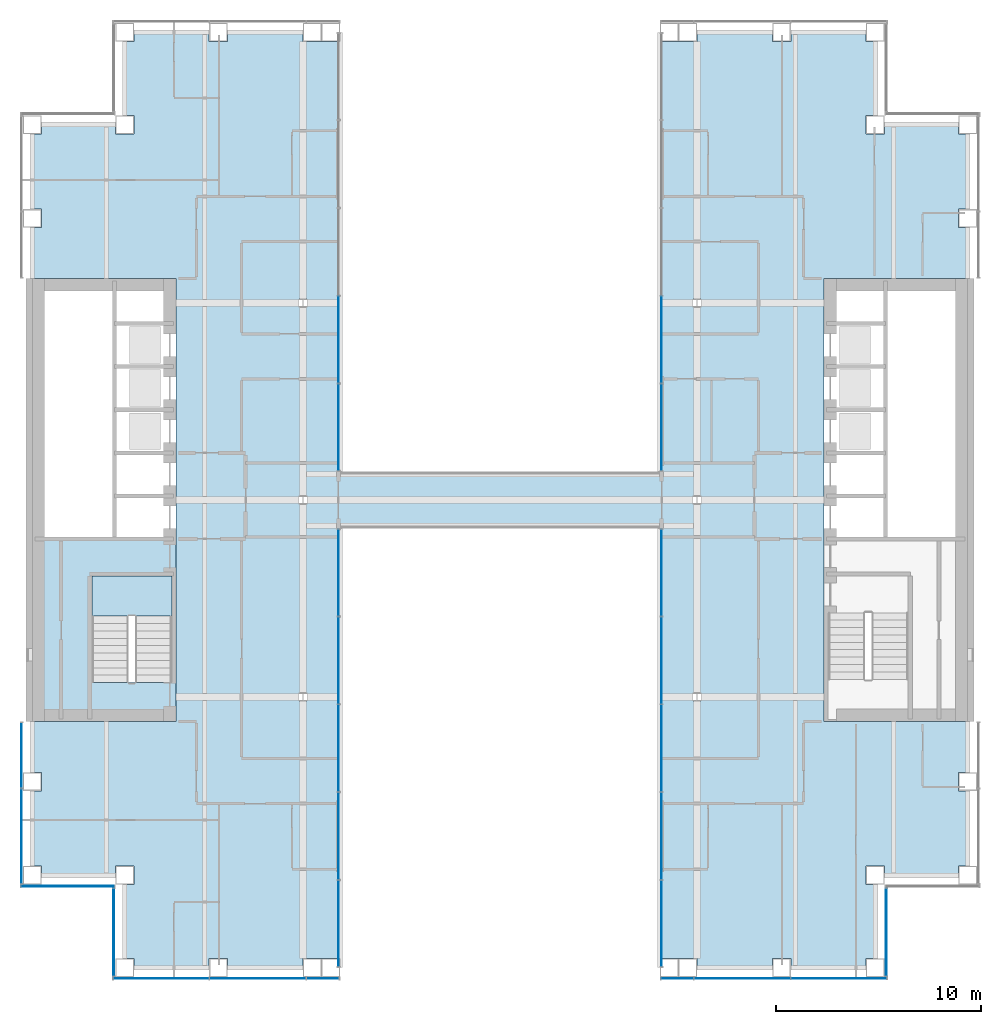
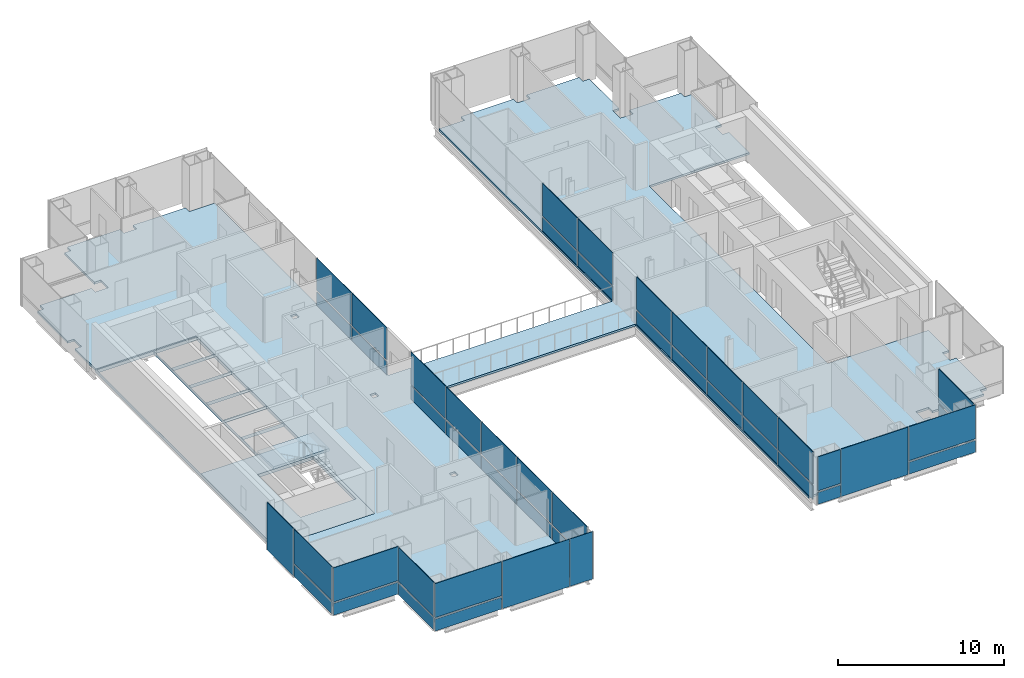
# One storey, part 9 of 16: 46 plates, 3 slabs, 11 elements without a shape of their own.
"""IFC4 building model written with IfcOpenShell, lengths in metres."""

from ifc_helpers import new_model, si_unit, direction, frame, origin, origin_2d, place, context, subcontext, project, spatial, polyline, rectangle, outline, extrude, material, layer, layer_set, type_object, element, aggregate, save


model = new_model("IFC4")

# Units and contexts
model_context = context("Model", 3, precision=1e-05, world=origin(), true_north=direction((0.0, 1.0)))
body_context = subcontext(model_context, "Body", "Model", "MODEL_VIEW")
ifc_project = project(units=[si_unit("LENGTHUNIT", "METRE"), si_unit("AREAUNIT", "SQUARE_METRE"), si_unit("VOLUMEUNIT", "CUBIC_METRE"), si_unit("PLANEANGLEUNIT", "RADIAN"), si_unit("MASSUNIT", "GRAM", prefix="KILO")], contexts=[model_context])

# Site, building, storey
site_placement = place(None, origin())
site = spatial("IfcSite", under=ifc_project, at=site_placement, CompositionType="ELEMENT")
building_placement = place(site_placement, origin())
building = spatial("IfcBuilding", under=site, at=building_placement, Name="Cobrizo Arcos Hotel Tower", CompositionType="ELEMENT")
storey_placement = place(building_placement, frame((0.0, 0.0, 127.5)))
storey = spatial("IfcBuildingStorey", under=building, at=storey_placement, Name="L32", CompositionType="ELEMENT", Elevation=127.5)

# Curtain wall, plate
ifc_material_1 = material(Name="Aluminium 6063-T6 anodised bronze", Category="aluminium")
curtain_wall_type_1 = type_object("IfcCurtainWallType", Name="CW-A guest facade", PredefinedType="NOTDEFINED", material=ifc_material_1)
curtain_wall_1_placement = place(storey_placement, origin())
curtain_wall_1 = element("IfcCurtainWall", 1, at=curtain_wall_1_placement, inside=storey, type_object=curtain_wall_type_1, Name="CW-A L32 S face", PredefinedType="NOTDEFINED")
ifc_material_2 = material(Name="Glass clear laminated low-e", Category="glass")
ifc_layer_1 = layer(ifc_material_2, 0.0400390625)
ifc_layer_set_1 = layer_set([ifc_layer_1], Name="CW-A glass panel")
plate_type_1 = type_object("IfcPlateType", Name="CW-A glass panel", PredefinedType="CURTAIN_PANEL", material=ifc_layer_set_1)
plate_1_placement = place(storey_placement, frame((-16.5224609375, -23.324951171875, 0.990234375), z_axis=(0.0, 0.0, 1.0), x_axis=(1.0, 0.0, 0.0)))
plate_1 = element("IfcPlate", 2, at=plate_1_placement, type_object=plate_type_1, Name="CW-A glass panel 1191", PredefinedType="CURTAIN_PANEL", context=body_context, shape_type="SweptSolid", body=[
    extrude(rectangle(XDim=4.635009765625, YDim=0.0400390625, at=origin_2d()), origin(), (0.0, 0.0, 1.0), 2.510009765625),
])

# Curtain wall, plates
curtain_wall_2_placement = place(storey_placement, origin())
curtain_wall_2 = element("IfcCurtainWall", 3, at=curtain_wall_2_placement, inside=storey, type_object=curtain_wall_type_1, Name="CW-A L32 S face", PredefinedType="NOTDEFINED")
plate_2_placement = place(storey_placement, frame((8.639892578125, -23.324951171875, 0.990234375), z_axis=(0.0, 0.0, 1.0), x_axis=(1.0, 0.0, 0.0)))
plate_2 = element("IfcPlate", 4, at=plate_2_placement, type_object=plate_type_1, Name="CW-A glass panel 1194", PredefinedType="CURTAIN_PANEL", context=body_context, shape_type="SweptSolid", body=[
    extrude(rectangle(XDim=1.56005859375, YDim=0.0400390625, at=origin_2d()), origin(), (0.0, 0.0, 1.0), 2.510009765625),
])
plate_3_placement = place(storey_placement, frame((16.5224609375, -23.324951171875, 0.990234375), z_axis=(0.0, 0.0, 1.0), x_axis=(1.0, 0.0, 0.0)))
plate_3 = element("IfcPlate", 5, at=plate_3_placement, type_object=plate_type_1, Name="CW-A glass panel 1196", PredefinedType="CURTAIN_PANEL", context=body_context, shape_type="SweptSolid", body=[
    extrude(rectangle(XDim=4.635009765625, YDim=0.0400390625, at=origin_2d()), origin(), (0.0, 0.0, 1.0), 2.510009765625),
])

# Curtain wall, plate
curtain_wall_3_placement = place(storey_placement, origin())
curtain_wall_3 = element("IfcCurtainWall", 6, at=curtain_wall_3_placement, inside=storey, type_object=curtain_wall_type_1, Name="CW-A L32 E face", PredefinedType="NOTDEFINED")
plate_4_placement = place(storey_placement, frame((18.824951171875, -21.074951171875, 0.990234375), z_axis=(0.0, 0.0, 1.0), x_axis=(0.0, 1.0, 0.0)))
plate_4 = element("IfcPlate", 7, at=plate_4_placement, type_object=plate_type_1, Name="CW-A glass panel 1197", PredefinedType="CURTAIN_PANEL", context=body_context, shape_type="SweptSolid", body=[
    extrude(rectangle(XDim=4.22998046875, YDim=0.0400390625, at=origin_2d()), origin(), (0.0, 0.0, 1.0), 2.510009765625),
])

curtain_wall_4_placement = place(storey_placement, origin())
curtain_wall_4 = element("IfcCurtainWall", 8, at=curtain_wall_4_placement, inside=storey, type_object=curtain_wall_type_1, Name="CW-A L32 W face", PredefinedType="NOTDEFINED")
plate_5_placement = place(storey_placement, frame((-23.324951171875, -16.391357421875, 0.990234375), z_axis=(0.0, 0.0, 1.0), x_axis=(0.0, -1.0, 0.0)))
plate_5 = element("IfcPlate", 9, at=plate_5_placement, type_object=plate_type_1, Name="CW-A glass panel 1216", PredefinedType="CURTAIN_PANEL", context=body_context, shape_type="SweptSolid", body=[
    extrude(rectangle(XDim=4.597412109375, YDim=0.0400390625, at=origin_2d()), origin(), (0.0, 0.0, 1.0), 2.510009765625),
])

curtain_wall_5_placement = place(storey_placement, origin())
curtain_wall_5 = element("IfcCurtainWall", 10, at=curtain_wall_5_placement, inside=storey, type_object=curtain_wall_type_1, Name="CW-A L32 S face", PredefinedType="NOTDEFINED")
plate_6_placement = place(storey_placement, frame((-21.074951171875, -18.824951171875, 0.990234375), z_axis=(0.0, 0.0, 1.0), x_axis=(1.0, 0.0, 0.0)))
plate_6 = element("IfcPlate", 11, at=plate_6_placement, type_object=plate_type_1, Name="CW-A glass panel 1217", PredefinedType="CURTAIN_PANEL", context=body_context, shape_type="SweptSolid", body=[
    extrude(rectangle(XDim=4.530029296875, YDim=0.0400390625, at=origin_2d()), origin(), (0.0, 0.0, 1.0), 2.510009765625),
])

curtain_wall_6_placement = place(storey_placement, origin())
curtain_wall_6 = element("IfcCurtainWall", 12, at=curtain_wall_6_placement, inside=storey, type_object=curtain_wall_type_1, Name="CW-A L32 W face", PredefinedType="NOTDEFINED")
plate_7_placement = place(storey_placement, frame((-18.824951171875, -21.074951171875, 0.990234375), z_axis=(0.0, 0.0, 1.0), x_axis=(0.0, -1.0, 0.0)))
plate_7 = element("IfcPlate", 13, at=plate_7_placement, type_object=plate_type_1, Name="CW-A glass panel 1218", PredefinedType="CURTAIN_PANEL", context=body_context, shape_type="SweptSolid", body=[
    extrude(rectangle(XDim=4.22998046875, YDim=0.0400390625, at=origin_2d()), origin(), (0.0, 0.0, 1.0), 2.510009765625),
])

# Plate
ifc_material_3 = material(Name="Aluminium composite panel pale metal", Category="aluminium")
ifc_layer_2 = layer(ifc_material_3, 0.0400390625)
ifc_layer_set_2 = layer_set([ifc_layer_2], Name="CW-A spandrel panel")
plate_type_2 = type_object("IfcPlateType", Name="CW-A spandrel panel", PredefinedType="CURTAIN_PANEL", material=ifc_layer_set_2)
plate_8_placement = place(storey_placement, frame((-16.5224609375, -23.324951171875, 0.0), z_axis=(0.0, 0.0, 1.0), x_axis=(1.0, 0.0, 0.0)))
plate_8 = element("IfcPlate", 14, at=plate_8_placement, type_object=plate_type_2, Name="CW-A spandrel panel 1191", PredefinedType="CURTAIN_PANEL", context=body_context, shape_type="SweptSolid", body=[
    extrude(rectangle(XDim=4.635009765625, YDim=0.0400390625, at=origin_2d()), origin(), (0.0, 0.0, 1.0), 0.8701171875),
])

plate_9_placement = place(storey_placement, frame((-11.8125, -23.324951171875, 0.0), z_axis=(0.0, 0.0, 1.0), x_axis=(1.0, 0.0, 0.0)))
plate_9 = element("IfcPlate", 15, at=plate_9_placement, type_object=plate_type_2, Name="CW-A spandrel panel 1192", PredefinedType="CURTAIN_PANEL", context=body_context, shape_type="SweptSolid", body=[
    extrude(rectangle(XDim=4.6650390625, YDim=0.0400390625, at=origin_2d()), origin(), (0.0, 0.0, 1.0), 3.5),
])

plate_10_placement = place(storey_placement, frame((-8.639892578125, -23.324951171875, 0.0), z_axis=(0.0, 0.0, 1.0), x_axis=(1.0, 0.0, 0.0)))
plate_10 = element("IfcPlate", 16, at=plate_10_placement, type_object=plate_type_2, Name="CW-A spandrel panel 1193", PredefinedType="CURTAIN_PANEL", context=body_context, shape_type="SweptSolid", body=[
    extrude(rectangle(XDim=1.56005859375, YDim=0.0400390625, at=origin_2d()), origin(), (0.0, 0.0, 1.0), 3.5),
])

aggregate(curtain_wall_1, [plate_8, plate_1, plate_9, plate_10])

plate_11_placement = place(storey_placement, frame((8.639892578125, -23.324951171875, 0.0), z_axis=(0.0, 0.0, 1.0), x_axis=(1.0, 0.0, 0.0)))
plate_11 = element("IfcPlate", 17, at=plate_11_placement, type_object=plate_type_2, Name="CW-A spandrel panel 1194", PredefinedType="CURTAIN_PANEL", context=body_context, shape_type="SweptSolid", body=[
    extrude(rectangle(XDim=1.56005859375, YDim=0.0400390625, at=origin_2d()), origin(), (0.0, 0.0, 1.0), 0.8701171875),
])

plate_12_placement = place(storey_placement, frame((11.8125, -23.324951171875, 0.0), z_axis=(0.0, 0.0, 1.0), x_axis=(1.0, 0.0, 0.0)))
plate_12 = element("IfcPlate", 18, at=plate_12_placement, type_object=plate_type_2, Name="CW-A spandrel panel 1195", PredefinedType="CURTAIN_PANEL", context=body_context, shape_type="SweptSolid", body=[
    extrude(rectangle(XDim=4.6650390625, YDim=0.0400390625, at=origin_2d()), origin(), (0.0, 0.0, 1.0), 3.5),
])

plate_13_placement = place(storey_placement, frame((16.5224609375, -23.324951171875, 0.0), z_axis=(0.0, 0.0, 1.0), x_axis=(1.0, 0.0, 0.0)))
plate_13 = element("IfcPlate", 19, at=plate_13_placement, type_object=plate_type_2, Name="CW-A spandrel panel 1196", PredefinedType="CURTAIN_PANEL", context=body_context, shape_type="SweptSolid", body=[
    extrude(rectangle(XDim=4.635009765625, YDim=0.0400390625, at=origin_2d()), origin(), (0.0, 0.0, 1.0), 0.8701171875),
])

aggregate(curtain_wall_2, [plate_11, plate_2, plate_12, plate_13, plate_3])

plate_14_placement = place(storey_placement, frame((18.824951171875, -21.074951171875, 0.0), z_axis=(0.0, 0.0, 1.0), x_axis=(0.0, 1.0, 0.0)))
plate_14 = element("IfcPlate", 20, at=plate_14_placement, type_object=plate_type_2, Name="CW-A spandrel panel 1197", PredefinedType="CURTAIN_PANEL", context=body_context, shape_type="SweptSolid", body=[
    extrude(rectangle(XDim=4.22998046875, YDim=0.0400390625, at=origin_2d()), origin(), (0.0, 0.0, 1.0), 0.8701171875),
])

aggregate(curtain_wall_3, [plate_14, plate_4])

plate_15_placement = place(storey_placement, frame((-23.324951171875, -12.4462890625, 0.0), z_axis=(0.0, 0.0, 1.0), x_axis=(0.0, -1.0, 0.0)))
plate_15 = element("IfcPlate", 21, at=plate_15_placement, type_object=plate_type_2, Name="CW-A spandrel panel 1215", PredefinedType="CURTAIN_PANEL", context=body_context, shape_type="SweptSolid", body=[
    extrude(rectangle(XDim=3.172607421875, YDim=0.0400390625, at=origin_2d()), origin(), (0.0, 0.0, 1.0), 3.5),
])

plate_16_placement = place(storey_placement, frame((-23.324951171875, -16.391357421875, 0.0), z_axis=(0.0, 0.0, 1.0), x_axis=(0.0, -1.0, 0.0)))
plate_16 = element("IfcPlate", 22, at=plate_16_placement, type_object=plate_type_2, Name="CW-A spandrel panel 1216", PredefinedType="CURTAIN_PANEL", context=body_context, shape_type="SweptSolid", body=[
    extrude(rectangle(XDim=4.597412109375, YDim=0.0400390625, at=origin_2d()), origin(), (0.0, 0.0, 1.0), 0.8701171875),
])

aggregate(curtain_wall_4, [plate_15, plate_16, plate_5])

plate_17_placement = place(storey_placement, frame((-21.074951171875, -18.824951171875, 0.0), z_axis=(0.0, 0.0, 1.0), x_axis=(1.0, 0.0, 0.0)))
plate_17 = element("IfcPlate", 23, at=plate_17_placement, type_object=plate_type_2, Name="CW-A spandrel panel 1217", PredefinedType="CURTAIN_PANEL", context=body_context, shape_type="SweptSolid", body=[
    extrude(rectangle(XDim=4.530029296875, YDim=0.0400390625, at=origin_2d()), origin(), (0.0, 0.0, 1.0), 0.8701171875),
])

aggregate(curtain_wall_5, [plate_17, plate_6])

plate_18_placement = place(storey_placement, frame((-18.824951171875, -21.074951171875, 0.0), z_axis=(0.0, 0.0, 1.0), x_axis=(0.0, -1.0, 0.0)))
plate_18 = element("IfcPlate", 24, at=plate_18_placement, type_object=plate_type_2, Name="CW-A spandrel panel 1218", PredefinedType="CURTAIN_PANEL", context=body_context, shape_type="SweptSolid", body=[
    extrude(rectangle(XDim=4.22998046875, YDim=0.0400390625, at=origin_2d()), origin(), (0.0, 0.0, 1.0), 0.8701171875),
])

aggregate(curtain_wall_6, [plate_18, plate_7])

# Curtain wall, plates
curtain_wall_type_2 = type_object("IfcCurtainWallType", Name="CW-F void screen", PredefinedType="NOTDEFINED", material=ifc_material_1)
curtain_wall_7_placement = place(storey_placement, origin())
curtain_wall_7 = element("IfcCurtainWall", 25, at=curtain_wall_7_placement, inside=storey, type_object=curtain_wall_type_2, Name="CW-F L32 void screen B", PredefinedType="NOTDEFINED")
ifc_layer_3 = layer(ifc_material_2, 0.0400390625)
ifc_layer_set_3 = layer_set([ifc_layer_3], Name="CW-F glass panel")
plate_type_3 = type_object("IfcPlateType", Name="CW-F glass panel", PredefinedType="CURTAIN_PANEL", material=ifc_layer_set_3)
plate_19_placement = place(storey_placement, frame((7.875, -20.64501953125, 0.0), z_axis=(0.0, 0.0, 1.0), x_axis=(0.0, 1.0, 0.0)))
plate_19 = element("IfcPlate", 26, at=plate_19_placement, type_object=plate_type_3, Name="CW-F glass panel 2626", PredefinedType="CURTAIN_PANEL", context=body_context, shape_type="SweptSolid", body=[
    extrude(rectangle(XDim=4.18994140625, YDim=0.0400390625, at=origin_2d()), origin(), (0.0, 0.0, 1.0), 0.989990234375),
])
plate_20_placement = place(storey_placement, frame((7.875, -20.64501953125, 1.10986328125), z_axis=(0.0, 0.0, 1.0), x_axis=(0.0, 1.0, 0.0)))
plate_20 = element("IfcPlate", 27, at=plate_20_placement, type_object=plate_type_3, Name="CW-F glass panel 2626", PredefinedType="CURTAIN_PANEL", context=body_context, shape_type="SweptSolid", body=[
    extrude(rectangle(XDim=4.18994140625, YDim=0.0400390625, at=origin_2d()), origin(), (0.0, 0.0, 1.0), 2.389892578125),
])
plate_21_placement = place(storey_placement, frame((7.875, -16.3798828125, 0.0), z_axis=(0.0, 0.0, 1.0), x_axis=(0.0, 1.0, 0.0)))
plate_21 = element("IfcPlate", 28, at=plate_21_placement, type_object=plate_type_3, Name="CW-F glass panel 2627", PredefinedType="CURTAIN_PANEL", context=body_context, shape_type="SweptSolid", body=[
    extrude(rectangle(XDim=4.219970703125, YDim=0.0400390625, at=origin_2d()), origin(), (0.0, 0.0, 1.0), 0.989990234375),
])
plate_22_placement = place(storey_placement, frame((7.875, -16.3798828125, 1.10986328125), z_axis=(0.0, 0.0, 1.0), x_axis=(0.0, 1.0, 0.0)))
plate_22 = element("IfcPlate", 29, at=plate_22_placement, type_object=plate_type_3, Name="CW-F glass panel 2627", PredefinedType="CURTAIN_PANEL", context=body_context, shape_type="SweptSolid", body=[
    extrude(rectangle(XDim=4.219970703125, YDim=0.0400390625, at=origin_2d()), origin(), (0.0, 0.0, 1.0), 2.389892578125),
])
plate_23_placement = place(storey_placement, frame((7.875, -12.10009765625, 0.0), z_axis=(0.0, 0.0, 1.0), x_axis=(0.0, 1.0, 0.0)))
plate_23 = element("IfcPlate", 30, at=plate_23_placement, type_object=plate_type_3, Name="CW-F glass panel 2628", PredefinedType="CURTAIN_PANEL", context=body_context, shape_type="SweptSolid", body=[
    extrude(rectangle(XDim=4.219970703125, YDim=0.0400390625, at=origin_2d()), origin(), (0.0, 0.0, 1.0), 0.989990234375),
])
plate_24_placement = place(storey_placement, frame((7.875, -12.10009765625, 1.10986328125), z_axis=(0.0, 0.0, 1.0), x_axis=(0.0, 1.0, 0.0)))
plate_24 = element("IfcPlate", 31, at=plate_24_placement, type_object=plate_type_3, Name="CW-F glass panel 2628", PredefinedType="CURTAIN_PANEL", context=body_context, shape_type="SweptSolid", body=[
    extrude(rectangle(XDim=4.219970703125, YDim=0.0400390625, at=origin_2d()), origin(), (0.0, 0.0, 1.0), 2.389892578125),
])
plate_25_placement = place(storey_placement, frame((7.875, -7.820068359375, 0.0), z_axis=(0.0, 0.0, 1.0), x_axis=(0.0, 1.0, 0.0)))
plate_25 = element("IfcPlate", 32, at=plate_25_placement, type_object=plate_type_3, Name="CW-F glass panel 2629", PredefinedType="CURTAIN_PANEL", context=body_context, shape_type="SweptSolid", body=[
    extrude(rectangle(XDim=4.219970703125, YDim=0.0400390625, at=origin_2d()), origin(), (0.0, 0.0, 1.0), 0.989990234375),
])
plate_26_placement = place(storey_placement, frame((7.875, -7.820068359375, 1.10986328125), z_axis=(0.0, 0.0, 1.0), x_axis=(0.0, 1.0, 0.0)))
plate_26 = element("IfcPlate", 33, at=plate_26_placement, type_object=plate_type_3, Name="CW-F glass panel 2629", PredefinedType="CURTAIN_PANEL", context=body_context, shape_type="SweptSolid", body=[
    extrude(rectangle(XDim=4.219970703125, YDim=0.0400390625, at=origin_2d()), origin(), (0.0, 0.0, 1.0), 2.389892578125),
])
plate_27_placement = place(storey_placement, frame((7.875, -3.554931640625, 0.0), z_axis=(0.0, 0.0, 1.0), x_axis=(0.0, 1.0, 0.0)))
plate_27 = element("IfcPlate", 34, at=plate_27_placement, type_object=plate_type_3, Name="CW-F glass panel 2630", PredefinedType="CURTAIN_PANEL", context=body_context, shape_type="SweptSolid", body=[
    extrude(rectangle(XDim=4.18994140625, YDim=0.0400390625, at=origin_2d()), origin(), (0.0, 0.0, 1.0), 0.989990234375),
])
plate_28_placement = place(storey_placement, frame((7.875, -3.554931640625, 1.10986328125), z_axis=(0.0, 0.0, 1.0), x_axis=(0.0, 1.0, 0.0)))
plate_28 = element("IfcPlate", 35, at=plate_28_placement, type_object=plate_type_3, Name="CW-F glass panel 2630", PredefinedType="CURTAIN_PANEL", context=body_context, shape_type="SweptSolid", body=[
    extrude(rectangle(XDim=4.18994140625, YDim=0.0400390625, at=origin_2d()), origin(), (0.0, 0.0, 1.0), 2.389892578125),
])
aggregate(curtain_wall_7, [plate_19, plate_20, plate_21, plate_22, plate_23, plate_24, plate_25, plate_26, plate_27, plate_28])

curtain_wall_8_placement = place(storey_placement, origin())
curtain_wall_8 = element("IfcCurtainWall", 36, at=curtain_wall_8_placement, inside=storey, type_object=curtain_wall_type_2, Name="CW-F L32 void screen B", PredefinedType="NOTDEFINED")
plate_29_placement = place(storey_placement, frame((7.875, 3.554931640625, 0.0), z_axis=(0.0, 0.0, 1.0), x_axis=(0.0, 1.0, 0.0)))
plate_29 = element("IfcPlate", 37, at=plate_29_placement, type_object=plate_type_3, Name="CW-F glass panel 2631", PredefinedType="CURTAIN_PANEL", context=body_context, shape_type="SweptSolid", body=[
    extrude(rectangle(XDim=4.18994140625, YDim=0.0400390625, at=origin_2d()), origin(), (0.0, 0.0, 1.0), 0.989990234375),
])
plate_30_placement = place(storey_placement, frame((7.875, 3.554931640625, 1.10986328125), z_axis=(0.0, 0.0, 1.0), x_axis=(0.0, 1.0, 0.0)))
plate_30 = element("IfcPlate", 38, at=plate_30_placement, type_object=plate_type_3, Name="CW-F glass panel 2631", PredefinedType="CURTAIN_PANEL", context=body_context, shape_type="SweptSolid", body=[
    extrude(rectangle(XDim=4.18994140625, YDim=0.0400390625, at=origin_2d()), origin(), (0.0, 0.0, 1.0), 2.389892578125),
])
plate_31_placement = place(storey_placement, frame((7.875, 7.820068359375, 0.0), z_axis=(0.0, 0.0, 1.0), x_axis=(0.0, 1.0, 0.0)))
plate_31 = element("IfcPlate", 39, at=plate_31_placement, type_object=plate_type_3, Name="CW-F glass panel 2632", PredefinedType="CURTAIN_PANEL", context=body_context, shape_type="SweptSolid", body=[
    extrude(rectangle(XDim=4.219970703125, YDim=0.0400390625, at=origin_2d()), origin(), (0.0, 0.0, 1.0), 0.989990234375),
])
plate_32_placement = place(storey_placement, frame((7.875, 7.820068359375, 1.10986328125), z_axis=(0.0, 0.0, 1.0), x_axis=(0.0, 1.0, 0.0)))
plate_32 = element("IfcPlate", 40, at=plate_32_placement, type_object=plate_type_3, Name="CW-F glass panel 2632", PredefinedType="CURTAIN_PANEL", context=body_context, shape_type="SweptSolid", body=[
    extrude(rectangle(XDim=4.219970703125, YDim=0.0400390625, at=origin_2d()), origin(), (0.0, 0.0, 1.0), 2.389892578125),
])
aggregate(curtain_wall_8, [plate_29, plate_30, plate_31, plate_32])

curtain_wall_9_placement = place(storey_placement, origin())
curtain_wall_9 = element("IfcCurtainWall", 41, at=curtain_wall_9_placement, inside=storey, type_object=curtain_wall_type_2, Name="CW-F L32 void screen B", PredefinedType="NOTDEFINED")
plate_33_placement = place(storey_placement, frame((-7.875, 7.820068359375, 0.0), z_axis=(0.0, 0.0, 1.0), x_axis=(0.0, -1.0, 0.0)))
plate_33 = element("IfcPlate", 42, at=plate_33_placement, type_object=plate_type_3, Name="CW-F glass panel 2639", PredefinedType="CURTAIN_PANEL", context=body_context, shape_type="SweptSolid", body=[
    extrude(rectangle(XDim=4.219970703125, YDim=0.0400390625, at=origin_2d()), origin(), (0.0, 0.0, 1.0), 0.989990234375),
])
plate_34_placement = place(storey_placement, frame((-7.875, 7.820068359375, 1.10986328125), z_axis=(0.0, 0.0, 1.0), x_axis=(0.0, -1.0, 0.0)))
plate_34 = element("IfcPlate", 43, at=plate_34_placement, type_object=plate_type_3, Name="CW-F glass panel 2639", PredefinedType="CURTAIN_PANEL", context=body_context, shape_type="SweptSolid", body=[
    extrude(rectangle(XDim=4.219970703125, YDim=0.0400390625, at=origin_2d()), origin(), (0.0, 0.0, 1.0), 2.389892578125),
])
plate_35_placement = place(storey_placement, frame((-7.875, 3.554931640625, 0.0), z_axis=(0.0, 0.0, 1.0), x_axis=(0.0, -1.0, 0.0)))
plate_35 = element("IfcPlate", 44, at=plate_35_placement, type_object=plate_type_3, Name="CW-F glass panel 2640", PredefinedType="CURTAIN_PANEL", context=body_context, shape_type="SweptSolid", body=[
    extrude(rectangle(XDim=4.18994140625, YDim=0.0400390625, at=origin_2d()), origin(), (0.0, 0.0, 1.0), 0.989990234375),
])
plate_36_placement = place(storey_placement, frame((-7.875, 3.554931640625, 1.10986328125), z_axis=(0.0, 0.0, 1.0), x_axis=(0.0, -1.0, 0.0)))
plate_36 = element("IfcPlate", 45, at=plate_36_placement, type_object=plate_type_3, Name="CW-F glass panel 2640", PredefinedType="CURTAIN_PANEL", context=body_context, shape_type="SweptSolid", body=[
    extrude(rectangle(XDim=4.18994140625, YDim=0.0400390625, at=origin_2d()), origin(), (0.0, 0.0, 1.0), 2.389892578125),
])
aggregate(curtain_wall_9, [plate_33, plate_34, plate_35, plate_36])

curtain_wall_10_placement = place(storey_placement, origin())
curtain_wall_10 = element("IfcCurtainWall", 46, at=curtain_wall_10_placement, inside=storey, type_object=curtain_wall_type_2, Name="CW-F L32 void screen B", PredefinedType="NOTDEFINED")
plate_37_placement = place(storey_placement, frame((-7.875, -3.554931640625, 0.0), z_axis=(0.0, 0.0, 1.0), x_axis=(0.0, -1.0, 0.0)))
plate_37 = element("IfcPlate", 47, at=plate_37_placement, type_object=plate_type_3, Name="CW-F glass panel 2641", PredefinedType="CURTAIN_PANEL", context=body_context, shape_type="SweptSolid", body=[
    extrude(rectangle(XDim=4.18994140625, YDim=0.0400390625, at=origin_2d()), origin(), (0.0, 0.0, 1.0), 0.989990234375),
])
plate_38_placement = place(storey_placement, frame((-7.875, -3.554931640625, 1.10986328125), z_axis=(0.0, 0.0, 1.0), x_axis=(0.0, -1.0, 0.0)))
plate_38 = element("IfcPlate", 48, at=plate_38_placement, type_object=plate_type_3, Name="CW-F glass panel 2641", PredefinedType="CURTAIN_PANEL", context=body_context, shape_type="SweptSolid", body=[
    extrude(rectangle(XDim=4.18994140625, YDim=0.0400390625, at=origin_2d()), origin(), (0.0, 0.0, 1.0), 2.389892578125),
])
plate_39_placement = place(storey_placement, frame((-7.875, -7.820068359375, 0.0), z_axis=(0.0, 0.0, 1.0), x_axis=(0.0, -1.0, 0.0)))
plate_39 = element("IfcPlate", 49, at=plate_39_placement, type_object=plate_type_3, Name="CW-F glass panel 2642", PredefinedType="CURTAIN_PANEL", context=body_context, shape_type="SweptSolid", body=[
    extrude(rectangle(XDim=4.219970703125, YDim=0.0400390625, at=origin_2d()), origin(), (0.0, 0.0, 1.0), 0.989990234375),
])
plate_40_placement = place(storey_placement, frame((-7.875, -7.820068359375, 1.10986328125), z_axis=(0.0, 0.0, 1.0), x_axis=(0.0, -1.0, 0.0)))
plate_40 = element("IfcPlate", 50, at=plate_40_placement, type_object=plate_type_3, Name="CW-F glass panel 2642", PredefinedType="CURTAIN_PANEL", context=body_context, shape_type="SweptSolid", body=[
    extrude(rectangle(XDim=4.219970703125, YDim=0.0400390625, at=origin_2d()), origin(), (0.0, 0.0, 1.0), 2.389892578125),
])
plate_41_placement = place(storey_placement, frame((-7.875, -12.10009765625, 0.0), z_axis=(0.0, 0.0, 1.0), x_axis=(0.0, -1.0, 0.0)))
plate_41 = element("IfcPlate", 51, at=plate_41_placement, type_object=plate_type_3, Name="CW-F glass panel 2643", PredefinedType="CURTAIN_PANEL", context=body_context, shape_type="SweptSolid", body=[
    extrude(rectangle(XDim=4.219970703125, YDim=0.0400390625, at=origin_2d()), origin(), (0.0, 0.0, 1.0), 0.989990234375),
])
plate_42_placement = place(storey_placement, frame((-7.875, -12.10009765625, 1.10986328125), z_axis=(0.0, 0.0, 1.0), x_axis=(0.0, -1.0, 0.0)))
plate_42 = element("IfcPlate", 52, at=plate_42_placement, type_object=plate_type_3, Name="CW-F glass panel 2643", PredefinedType="CURTAIN_PANEL", context=body_context, shape_type="SweptSolid", body=[
    extrude(rectangle(XDim=4.219970703125, YDim=0.0400390625, at=origin_2d()), origin(), (0.0, 0.0, 1.0), 2.389892578125),
])
plate_43_placement = place(storey_placement, frame((-7.875, -16.3798828125, 0.0), z_axis=(0.0, 0.0, 1.0), x_axis=(0.0, -1.0, 0.0)))
plate_43 = element("IfcPlate", 53, at=plate_43_placement, type_object=plate_type_3, Name="CW-F glass panel 2644", PredefinedType="CURTAIN_PANEL", context=body_context, shape_type="SweptSolid", body=[
    extrude(rectangle(XDim=4.219970703125, YDim=0.0400390625, at=origin_2d()), origin(), (0.0, 0.0, 1.0), 0.989990234375),
])
plate_44_placement = place(storey_placement, frame((-7.875, -16.3798828125, 1.10986328125), z_axis=(0.0, 0.0, 1.0), x_axis=(0.0, -1.0, 0.0)))
plate_44 = element("IfcPlate", 54, at=plate_44_placement, type_object=plate_type_3, Name="CW-F glass panel 2644", PredefinedType="CURTAIN_PANEL", context=body_context, shape_type="SweptSolid", body=[
    extrude(rectangle(XDim=4.219970703125, YDim=0.0400390625, at=origin_2d()), origin(), (0.0, 0.0, 1.0), 2.389892578125),
])
plate_45_placement = place(storey_placement, frame((-7.875, -20.64501953125, 0.0), z_axis=(0.0, 0.0, 1.0), x_axis=(0.0, -1.0, 0.0)))
plate_45 = element("IfcPlate", 55, at=plate_45_placement, type_object=plate_type_3, Name="CW-F glass panel 2645", PredefinedType="CURTAIN_PANEL", context=body_context, shape_type="SweptSolid", body=[
    extrude(rectangle(XDim=4.18994140625, YDim=0.0400390625, at=origin_2d()), origin(), (0.0, 0.0, 1.0), 0.989990234375),
])
plate_46_placement = place(storey_placement, frame((-7.875, -20.64501953125, 1.10986328125), z_axis=(0.0, 0.0, 1.0), x_axis=(0.0, -1.0, 0.0)))
plate_46 = element("IfcPlate", 56, at=plate_46_placement, type_object=plate_type_3, Name="CW-F glass panel 2645", PredefinedType="CURTAIN_PANEL", context=body_context, shape_type="SweptSolid", body=[
    extrude(rectangle(XDim=4.18994140625, YDim=0.0400390625, at=origin_2d()), origin(), (0.0, 0.0, 1.0), 2.389892578125),
])
aggregate(curtain_wall_10, [plate_37, plate_38, plate_39, plate_40, plate_41, plate_42, plate_43, plate_44, plate_45, plate_46])

# Slabs
ifc_material_4 = material(Name="Concrete f'c 35 MPa", Category="concrete")
ifc_layer_4 = layer(ifc_material_4, 0.14990234375)
ifc_layer_set_4 = layer_set([ifc_layer_4], Name="Composite floor slab 150 f'c 35")
slab_type_1 = type_object("IfcSlabType", Name="Composite floor slab 150 f'c 35", PredefinedType="FLOOR", material=ifc_layer_set_4)
slab_1_placement = place(storey_placement, frame((0.0, 0.0, -0.14990234375)))
element("IfcSlab", 57, at=slab_1_placement, inside=storey, type_object=slab_type_1, Name="Floor slab S5, L32, no. 01", PredefinedType="FLOOR", context=body_context, shape_type="SweptSolid", body=[
    extrude(outline(polyline([(22.35009765625, 18.300048828125), (22.35009765625, 17.85009765625), (22.800048828125, 17.85009765625), (22.800048828125, 14.175048828125), (22.35009765625, 14.175048828125), (22.35009765625, 13.27490234375), (22.800048828125, 13.27490234375), (22.800048828125, 10.800048828125), (15.800048828125, 10.800048828125), (15.800048828125, -10.800048828125), (22.800048828125, -10.800048828125), (22.800048828125, -13.27490234375), (22.35009765625, -13.27490234375), (22.35009765625, -14.175048828125), (22.800048828125, -14.175048828125), (22.800048828125, -17.85009765625), (22.35009765625, -17.85009765625), (22.35009765625, -18.300048828125), (18.75, -18.300048828125), (18.75, -17.85009765625), (17.85009765625, -17.85009765625), (17.85009765625, -18.75), (18.300048828125, -18.75), (18.300048828125, -22.35009765625), (17.85009765625, -22.35009765625), (17.85009765625, -22.800048828125), (14.175048828125, -22.800048828125), (14.175048828125, -22.35009765625), (13.27490234375, -22.35009765625), (13.27490234375, -22.800048828125), (9.60009765625, -22.800048828125), (9.60009765625, -22.35009765625), (8.699951171875, -22.35009765625), (7.800048828125, -22.35009765625), (7.800048828125, -22.800048828125), (7.800048828125, -22.800048828125), (7.800048828125, -1.39990234375), (-7.800048828125, -1.39990234375), (-7.800048828125, -22.800048828125), (-7.800048828125, -22.800048828125), (-7.800048828125, -22.35009765625), (-8.699951171875, -22.35009765625), (-9.60009765625, -22.35009765625), (-9.60009765625, -22.800048828125), (-13.27490234375, -22.800048828125), (-13.27490234375, -22.35009765625), (-14.175048828125, -22.35009765625), (-14.175048828125, -22.800048828125), (-17.85009765625, -22.800048828125), (-17.85009765625, -22.35009765625), (-18.300048828125, -22.35009765625), (-18.300048828125, -18.75), (-17.85009765625, -18.75), (-17.85009765625, -17.85009765625), (-18.75, -17.85009765625), (-18.75, -18.300048828125), (-22.35009765625, -18.300048828125), (-22.35009765625, -17.85009765625), (-22.800048828125, -17.85009765625), (-22.800048828125, -14.175048828125), (-22.35009765625, -14.175048828125), (-22.35009765625, -13.27490234375), (-22.800048828125, -13.27490234375), (-22.800048828125, -10.800048828125), (-15.800048828125, -10.800048828125), (-15.800048828125, 10.800048828125), (-22.800048828125, 10.800048828125), (-22.800048828125, 13.27490234375), (-22.35009765625, 13.27490234375), (-22.35009765625, 14.175048828125), (-22.800048828125, 14.175048828125), (-22.800048828125, 17.85009765625), (-22.35009765625, 17.85009765625), (-22.35009765625, 18.300048828125), (-18.75, 18.300048828125), (-18.75, 17.85009765625), (-17.85009765625, 17.85009765625), (-17.85009765625, 18.75), (-18.300048828125, 18.75), (-18.300048828125, 22.35009765625), (-17.85009765625, 22.35009765625), (-17.85009765625, 22.800048828125), (-14.175048828125, 22.800048828125), (-14.175048828125, 22.35009765625), (-13.27490234375, 22.35009765625), (-13.27490234375, 22.800048828125), (-9.60009765625, 22.800048828125), (-9.60009765625, 22.35009765625), (-8.699951171875, 22.35009765625), (-7.800048828125, 22.35009765625), (-7.800048828125, 22.800048828125), (-7.800048828125, 22.800048828125), (-7.800048828125, 1.39990234375), (7.800048828125, 1.39990234375), (7.800048828125, 22.800048828125), (7.800048828125, 22.800048828125), (7.800048828125, 22.35009765625), (8.699951171875, 22.35009765625), (9.60009765625, 22.35009765625), (9.60009765625, 22.800048828125), (13.27490234375, 22.800048828125), (13.27490234375, 22.35009765625), (14.175048828125, 22.35009765625), (14.175048828125, 22.800048828125), (17.85009765625, 22.800048828125), (17.85009765625, 22.35009765625), (18.300048828125, 22.35009765625), (18.300048828125, 18.75), (17.85009765625, 18.75), (17.85009765625, 17.85009765625), (18.75, 17.85009765625), (18.75, 18.300048828125), (22.35009765625, 18.300048828125)]), holes=[polyline([(-9.79931640625, -9.79931640625), (-9.400634765625, -9.79931640625), (-9.400634765625, -9.400634765625), (-9.79931640625, -9.400634765625), (-9.79931640625, -9.79931640625)]), polyline([(-9.400634765625, -0.199462890625), (-9.400634765625, 0.199462890625), (-9.79931640625, 0.199462890625), (-9.79931640625, -0.199462890625), (-9.400634765625, -0.199462890625)]), polyline([(-9.400634765625, 9.400634765625), (-9.400634765625, 9.79931640625), (-9.79931640625, 9.79931640625), (-9.79931640625, 9.400634765625), (-9.400634765625, 9.400634765625)]), polyline([(9.400634765625, -9.79931640625), (9.79931640625, -9.79931640625), (9.79931640625, -9.400634765625), (9.400634765625, -9.400634765625), (9.400634765625, -9.79931640625)]), polyline([(9.400634765625, -0.199462890625), (9.79931640625, -0.199462890625), (9.79931640625, 0.199462890625), (9.400634765625, 0.199462890625), (9.400634765625, -0.199462890625)]), polyline([(9.79931640625, 9.400634765625), (9.79931640625, 9.79931640625), (9.400634765625, 9.79931640625), (9.400634765625, 9.400634765625), (9.79931640625, 9.400634765625)])]), origin(), (0.0, 0.0, 1.0), 0.14990234375),
])
ifc_material_5 = material(Name="Concrete f'c 50 MPa", Category="concrete")
ifc_layer_5 = layer(ifc_material_5, 0.25)
ifc_layer_set_5 = layer_set([ifc_layer_5], Name="RC core floor slab 250 f'c 50")
slab_type_2 = type_object("IfcSlabType", Name="RC core floor slab 250 f'c 50", PredefinedType="FLOOR", material=ifc_layer_set_5)
slab_2_placement = place(storey_placement, frame((0.0, 0.0, -0.25)))
element("IfcSlab", 58, at=slab_2_placement, inside=storey, type_object=slab_type_2, Name="Core floor slab CS5, west core, L32", PredefinedType="FLOOR", context=body_context, shape_type="SweptSolid", body=[
    extrude(outline(polyline([(-22.800048828125, 10.800048828125), (-15.800048828125, 10.800048828125), (-15.800048828125, -10.800048828125), (-22.800048828125, -10.800048828125), (-22.800048828125, 10.800048828125)]), holes=[polyline([(-19.89794921875, -3.701904296875), (-19.89794921875, -8.89794921875), (-16.001953125, -8.89794921875), (-16.001953125, -3.701904296875), (-19.89794921875, -3.701904296875)]), polyline([(-18.798095703125, 0.197998046875), (-18.798095703125, -1.89794921875), (-15.802001953125, -1.89794921875), (-15.802001953125, 0.197998046875), (-18.798095703125, 0.197998046875)]), polyline([(-15.802001953125, 2.298095703125), (-18.798095703125, 2.298095703125), (-18.798095703125, 0.201904296875), (-15.802001953125, 0.201904296875), (-15.802001953125, 2.298095703125)]), polyline([(-15.802001953125, 4.39794921875), (-18.798095703125, 4.39794921875), (-18.798095703125, 2.302001953125), (-15.802001953125, 2.302001953125), (-15.802001953125, 4.39794921875)]), polyline([(-18.802001953125, 10.697998046875), (-22.798095703125, 10.697998046875), (-22.798095703125, -1.89794921875), (-18.802001953125, -1.89794921875), (-18.802001953125, 10.697998046875)]), polyline([(-15.802001953125, 6.498046875), (-18.798095703125, 6.498046875), (-18.798095703125, 4.402099609375), (-15.802001953125, 4.402099609375), (-15.802001953125, 6.498046875)]), polyline([(-15.802001953125, 8.597900390625), (-18.798095703125, 8.597900390625), (-18.798095703125, 6.501953125), (-15.802001953125, 6.501953125), (-15.802001953125, 8.597900390625)]), polyline([(-15.802001953125, 10.697998046875), (-18.798095703125, 10.697998046875), (-18.798095703125, 8.60205078125), (-15.802001953125, 8.60205078125), (-15.802001953125, 10.697998046875)])]), origin(), (0.0, 0.0, 1.0), 0.25),
])

# Stair, slab
ifc_material_6 = material(Name="Concrete f'c 40 MPa", Category="concrete")
stair_type = type_object("IfcStairType", Name="Exit stair", PredefinedType="HALF_TURN_STAIR", material=ifc_material_6)
stair_placement = place(storey_placement, origin())
stair = element("IfcStair", 59, at=stair_placement, inside=storey, type_object=stair_type, Name="L32 Exit stair ST-W", PredefinedType="HALF_TURN_STAIR")
ifc_layer_6 = layer(ifc_material_6, 0.199951171875)
ifc_layer_set_6 = layer_set([ifc_layer_6], Name="Stair landing")
slab_type_3 = type_object("IfcSlabType", Name="Stair landing", PredefinedType="LANDING", material=ifc_layer_set_6)
slab_3_placement = place(storey_placement, frame((0.0, 0.0, 1.550048828125)))
slab_3 = element("IfcSlab", 60, at=slab_3_placement, type_object=slab_type_3, Name="ST-W landing 1", PredefinedType="LANDING", context=body_context, shape_type="SweptSolid", body=[
    extrude(outline(polyline([(-16.0, -5.659912109375), (-16.0, -3.699951171875), (-19.89990234375, -3.699951171875), (-19.89990234375, -5.659912109375), (-16.0, -5.659912109375)])), origin(), (0.0, 0.0, 1.0), 0.199951171875),
])
aggregate(stair, [slab_3])

save(model, "model.ifc")
